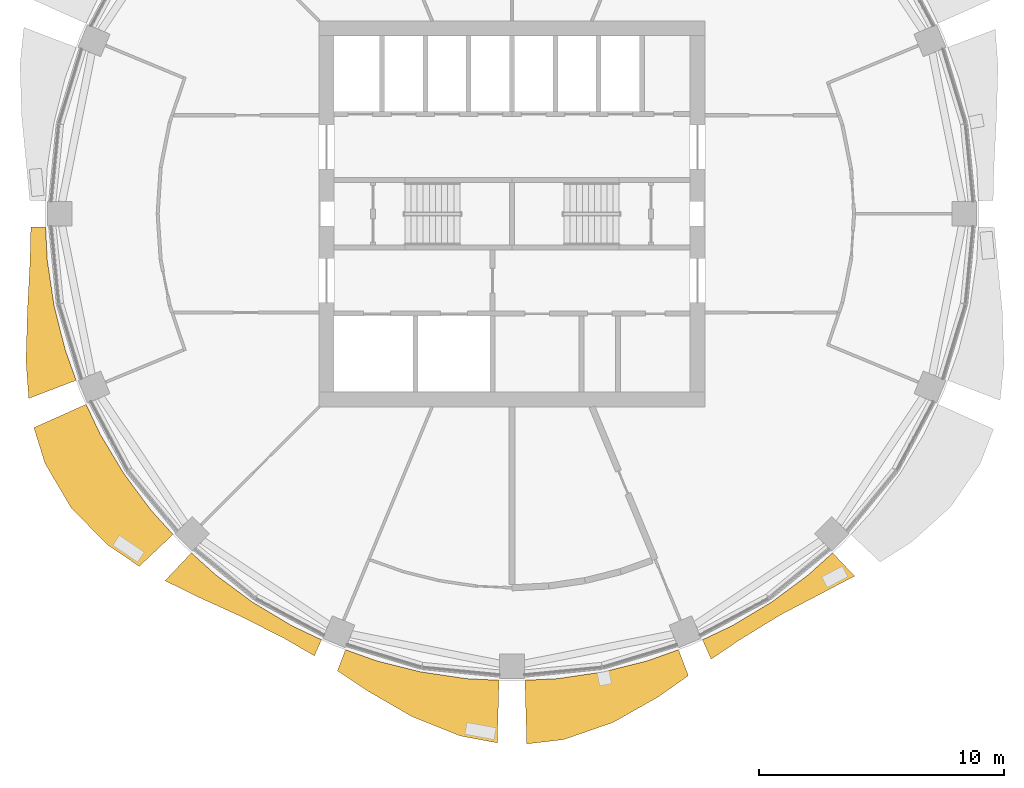
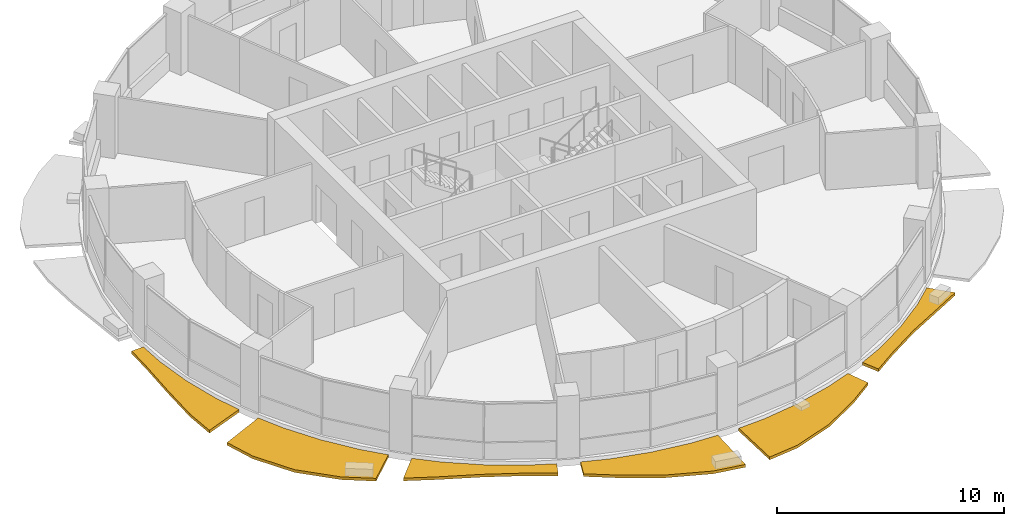
# One storey, part 12 of 15: 6 shading devices.
"""IFC4 building model written with IfcOpenShell, lengths in metres."""

from ifc_helpers import new_model, si_unit, direction, frame, origin, place, context, subcontext, project, spatial, polyline, outline, extrude, material, type_object, element, save


model = new_model("IFC4")

# Units and contexts
model_context = context("Model", 3, precision=1e-05, world=origin(), true_north=direction((0.0, 1.0)))
body_context = subcontext(model_context, "Body", "Model", "MODEL_VIEW")
ifc_project = project(units=[si_unit("LENGTHUNIT", "METRE"), si_unit("AREAUNIT", "SQUARE_METRE"), si_unit("VOLUMEUNIT", "CUBIC_METRE"), si_unit("PLANEANGLEUNIT", "RADIAN"), si_unit("MASSUNIT", "GRAM", prefix="KILO")], contexts=[model_context])

# Site, building, storey
site_placement = place(None, origin())
site = spatial("IfcSite", under=ifc_project, at=site_placement, CompositionType="ELEMENT")
building_placement = place(site_placement, origin())
building = spatial("IfcBuilding", under=site, at=building_placement, Name="Polderwave Tower", CompositionType="ELEMENT")
storey_placement = place(building_placement, frame((0.0, 0.0, 127.64990234375)))
storey = spatial("IfcBuildingStorey", under=building, at=storey_placement, Name="L33", CompositionType="ELEMENT", Elevation=127.64990234375)

# Shading devices
ifc_material = material(Name="Terracotta", Category="masonry")
shading_device_type = type_object("IfcShadingDeviceType", Name="Terracotta sunshade band", PredefinedType="USERDEFINED", material=ifc_material)
shading_device_1_placement = place(storey_placement, frame((0.0, 0.0, -0.349853515625)))
element("IfcShadingDevice", 1, at=shading_device_1_placement, inside=storey, type_object=shading_device_type, Name="Sunshade band L33 9", ObjectType="SUNSHADE", PredefinedType="USERDEFINED", context=body_context, shape_type="SweptSolid", body=[
    extrude(outline(polyline([(-19.033935546875, -0.52978515625), (-18.96826171875, -1.8681640625), (-18.69384765625, -3.718505859375), (-18.2392578125, -5.53271484375), (-17.787841796875, -6.79443359375), (-19.72021484375, -7.532470703125), (-19.8330078125, -6.016357421875), (-19.772705078125, -3.93310546875), (-19.66796875, -1.93701171875), (-19.634521484375, -0.546630859375), (-19.033935546875, -0.52978515625)])), origin(), (0.0, 0.0, 1.0), 0.14990234375),
])
shading_device_2_placement = place(storey_placement, frame((0.0, 0.0, -0.349853515625)))
element("IfcShadingDevice", 2, at=shading_device_2_placement, inside=storey, type_object=shading_device_type, Name="Sunshade band L33 10", ObjectType="SUNSHADE", PredefinedType="USERDEFINED", context=body_context, shape_type="SweptSolid", body=[
    extrude(outline(polyline([(-17.38232421875, -7.7734375), (-16.809326171875, -8.98486328125), (-15.847900390625, -10.589111328125), (-14.733642578125, -12.091552734375), (-13.833740234375, -13.08447265625), (-15.209228515625, -14.385498046875), (-16.47998046875, -13.52490234375), (-17.981201171875, -12.0146484375), (-19.0556640625, -10.185302734375), (-19.51123046875, -8.7255859375), (-17.38232421875, -7.7734375)])), origin(), (0.0, 0.0, 1.0), 0.14990234375),
])
shading_device_3_placement = place(storey_placement, frame((0.0, 0.0, -0.349853515625)))
element("IfcShadingDevice", 3, at=shading_device_3_placement, inside=storey, type_object=shading_device_type, Name="Sunshade band L33 11", ObjectType="SUNSHADE", PredefinedType="USERDEFINED", context=body_context, shape_type="SweptSolid", body=[
    extrude(outline(polyline([(-13.08447265625, -13.833740234375), (-12.091552734375, -14.733642578125), (-10.589111328125, -15.847900390625), (-8.98486328125, -16.809326171875), (-7.7734375, -17.38232421875), (-8.066162109375, -18.036376953125), (-9.268798828125, -17.340576171875), (-10.996826171875, -16.4580078125), (-12.825927734375, -15.62841796875), (-14.158935546875, -14.969970703125), (-13.08447265625, -13.833740234375)])), origin(), (0.0, 0.0, 1.0), 0.14990234375),
])
shading_device_4_placement = place(storey_placement, frame((0.0, 0.0, -0.349853515625)))
element("IfcShadingDevice", 4, at=shading_device_4_placement, inside=storey, type_object=shading_device_type, Name="Sunshade band L33 12", ObjectType="SUNSHADE", PredefinedType="USERDEFINED", context=body_context, shape_type="SweptSolid", body=[
    extrude(outline(polyline([(-6.79443359375, -17.787841796875), (-5.53271484375, -18.2392578125), (-3.718505859375, -18.69384765625), (-1.8681640625, -18.96826171875), (-0.52978515625, -19.033935546875), (-0.60107421875, -21.589111328125), (-2.0986328125, -21.308837890625), (-4.0810546875, -20.516845703125), (-5.904052734375, -19.462890625), (-7.122314453125, -18.646240234375), (-6.79443359375, -17.787841796875)])), origin(), (0.0, 0.0, 1.0), 0.14990234375),
])
shading_device_5_placement = place(storey_placement, frame((0.0, 0.0, -0.349853515625)))
element("IfcShadingDevice", 5, at=shading_device_5_placement, inside=storey, type_object=shading_device_type, Name="Sunshade band L33 13", ObjectType="SUNSHADE", PredefinedType="USERDEFINED", context=body_context, shape_type="SweptSolid", body=[
    extrude(outline(polyline([(0.52978515625, -19.033935546875), (1.8681640625, -18.96826171875), (3.718505859375, -18.69384765625), (5.53271484375, -18.2392578125), (6.79443359375, -17.787841796875), (7.1982421875, -18.844970703125), (5.978271484375, -19.707763671875), (4.128173828125, -20.75341796875), (2.11279296875, -21.452880859375), (0.602294921875, -21.63232421875), (0.52978515625, -19.033935546875)])), origin(), (0.0, 0.0, 1.0), 0.14990234375),
])
shading_device_6_placement = place(storey_placement, frame((0.0, 0.0, -0.349853515625)))
element("IfcShadingDevice", 6, at=shading_device_6_placement, inside=storey, type_object=shading_device_type, Name="Sunshade band L33 14", ObjectType="SUNSHADE", PredefinedType="USERDEFINED", context=body_context, shape_type="SweptSolid", body=[
    extrude(outline(polyline([(7.7734375, -17.38232421875), (8.98486328125, -16.809326171875), (10.589111328125, -15.847900390625), (12.091552734375, -14.733642578125), (13.08447265625, -13.833740234375), (13.982177734375, -14.782958984375), (12.688232421875, -15.460693359375), (10.94140625, -16.375), (9.292724609375, -17.385498046875), (8.127685546875, -18.174560546875), (7.7734375, -17.38232421875)])), origin(), (0.0, 0.0, 1.0), 0.14990234375),
])

save(model, "model.ifc")
